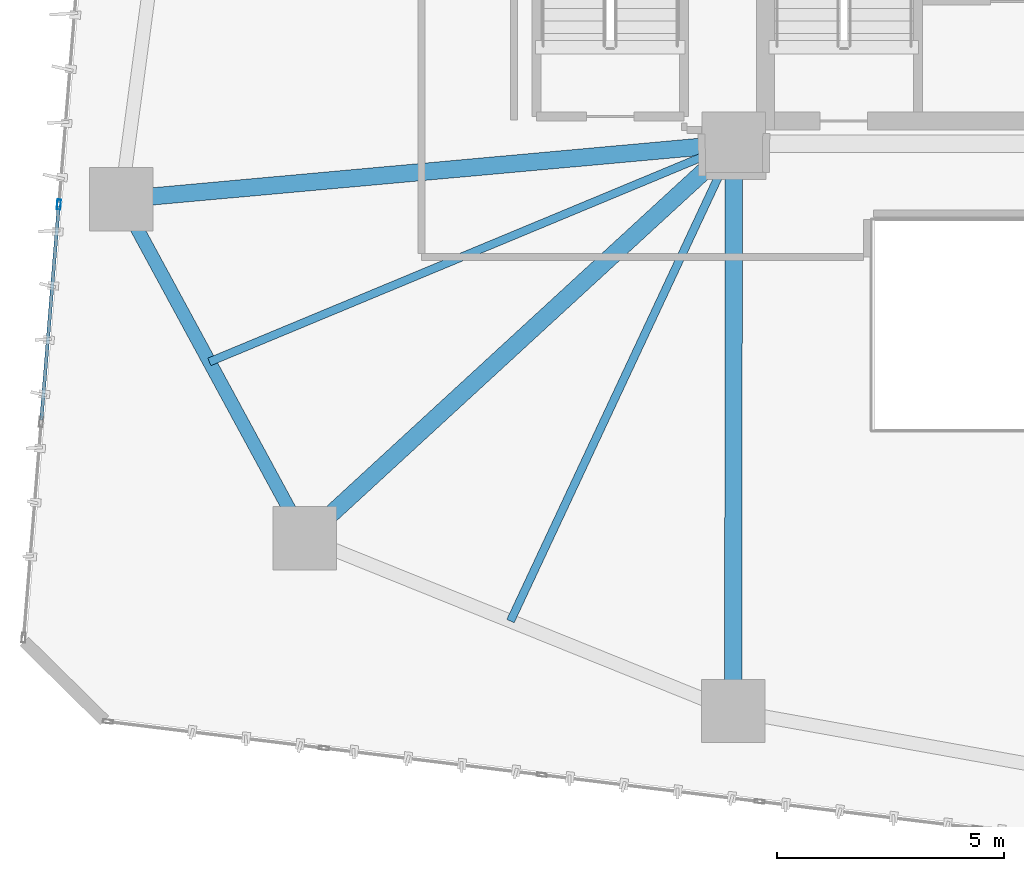
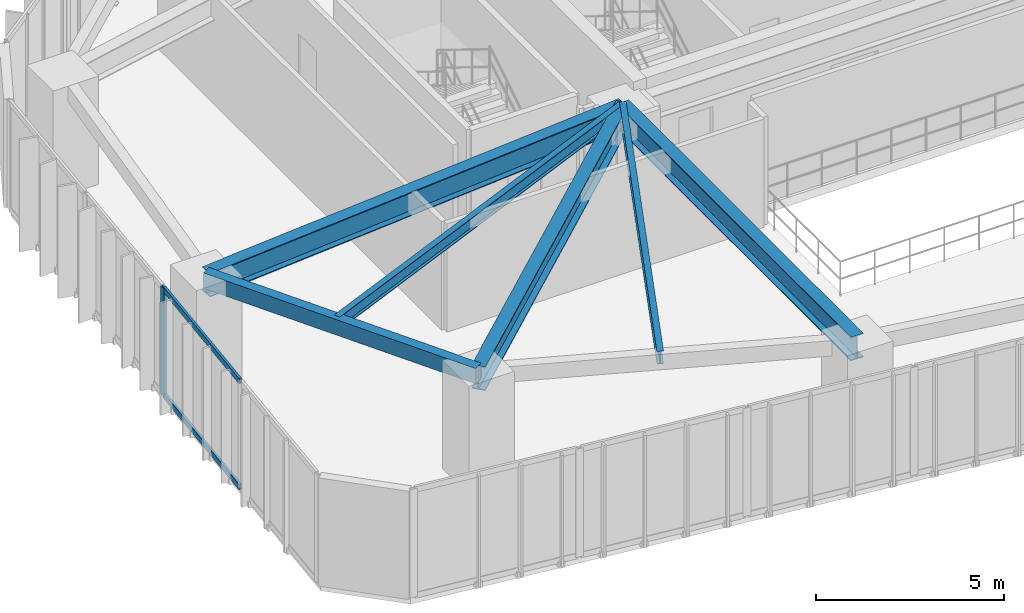
# One storey, part 3 of 23: 6 beams, 3 members, 1 element without a shape of its own.
"""IFC4 building model written with IfcOpenShell, lengths in metres."""

from ifc_helpers import new_model, si_unit, direction, frame, origin, origin_2d, place, context, subcontext, project, spatial, hollow_rectangle, i_section, extrude, source, transform, mapped, material, layer, layer_set, material_profile, profile_set, type_object, type_shapes, element, aggregate, save


model = new_model("IFC4")

# Units and contexts
model_context = context("Model", 3, precision=1e-05, world=origin(), true_north=direction((0.0, 1.0)))
body_context = subcontext(model_context, "Body", "Model", "MODEL_VIEW")
ifc_project = project(units=[si_unit("LENGTHUNIT", "METRE"), si_unit("AREAUNIT", "SQUARE_METRE"), si_unit("VOLUMEUNIT", "CUBIC_METRE"), si_unit("PLANEANGLEUNIT", "RADIAN"), si_unit("MASSUNIT", "GRAM", prefix="KILO")], contexts=[model_context])

# Site, building, storey
site_placement = place(None, origin())
site = spatial("IfcSite", under=ifc_project, at=site_placement, CompositionType="ELEMENT")
building_placement = place(site_placement, origin())
building = spatial("IfcBuilding", under=site, at=building_placement, Name="Talar Marvaseh", CompositionType="ELEMENT")
storey_placement = place(building_placement, frame((0.0, 0.0, 69.60009765625)))
storey = spatial("IfcBuildingStorey", under=building, at=storey_placement, Name="L17", CompositionType="ELEMENT", Elevation=69.60009765625)

# Beams
ifc_material_1 = material(Name="Steel S355", Category="steel")
ifc_material_profile_1 = material_profile(ifc_material_1, hollow_rectangle(XDim=0.300048828125, YDim=0.5, WallThickness=0.02001953125, at=origin_2d()), Name="RHS500x300x20")
ifc_profile_set_1 = profile_set([ifc_material_profile_1], Name="Steel S355")
beam_type_1 = type_object("IfcBeamType", Name="Zone 1 Perimeter Spandrel Beam RHS500x300x20", PredefinedType="SPANDREL", material=ifc_profile_set_1)
beam_1_placement = place(storey_placement, frame((9.23193359375, 16.7958984375, 3.27001953125), z_axis=(-0.476758155578, 0.879034505062, 0.0), x_axis=(-0.879034505062, -0.476758155578, 0.0)))
element("IfcBeam", 1, at=beam_1_placement, inside=storey, type_object=beam_type_1, Name="L17 Zone 1 Perimeter Spandrel Beam RHS500x300x20", PredefinedType="SPANDREL", context=body_context, shape_type="SweptSolid", body=[
    extrude(hollow_rectangle(XDim=0.300048828125, YDim=0.5, WallThickness=0.02001953125, at=origin_2d()), origin(), (0.0, 0.0, 1.0), 8.50927734375),
])
ifc_material_profile_2 = material_profile(ifc_material_1, i_section(OverallWidth=0.381103515625, OverallDepth=0.77294921875, WebThickness=0.0166015625, FlangeThickness=0.027099609375, at=origin_2d()), Name="W760x257")
ifc_profile_set_2 = profile_set([ifc_material_profile_2], Name="Steel S355")
beam_type_2 = type_object("IfcBeamType", Name="Zone 1 Radial Floor Girder W760x257", PredefinedType="BEAM", material=ifc_profile_set_2)
beam_2_placement = place(storey_placement, frame((18.68310546875, 12.97900390625, 3.13330078125), z_axis=(0.001345395187, 0.999999094955, 0.0), x_axis=(-0.999999094955, 0.001345395187, 0.0)))
element("IfcBeam", 2, at=beam_2_placement, inside=storey, type_object=beam_type_2, Name="L17 Zone 1 Radial Floor Girder W760x257", PredefinedType="BEAM", context=body_context, shape_type="SweptSolid", body=[
    extrude(i_section(OverallWidth=0.381103515625, OverallDepth=0.77294921875, WebThickness=0.0166015625, FlangeThickness=0.027099609375, at=origin_2d()), origin(), (0.0, 0.0, 1.0), 12.52099609375),
])
beam_3_placement = place(storey_placement, frame((9.23193359375, 16.7958984375, 3.13330078125), z_axis=(0.736181804049, 0.676783829142, 0.0), x_axis=(-0.676783829142, 0.736181804049, 0.0)))
element("IfcBeam", 3, at=beam_3_placement, inside=storey, type_object=beam_type_2, Name="L17 Zone 1 Radial Floor Girder W760x257", PredefinedType="BEAM", context=body_context, shape_type="SweptSolid", body=[
    extrude(i_section(OverallWidth=0.381103515625, OverallDepth=0.77294921875, WebThickness=0.0166015625, FlangeThickness=0.027099609375, at=origin_2d()), origin(), (0.0, 0.0, 1.0), 12.861083984375),
])
beam_4_placement = place(storey_placement, frame((5.175048828125, 24.27587890625, 3.13330078125), z_axis=(0.995929083348, 0.090140229321, 0.0), x_axis=(-0.090140229321, 0.995929083348, 0.0)))
element("IfcBeam", 4, at=beam_4_placement, inside=storey, type_object=beam_type_2, Name="L17 Zone 1 Radial Floor Girder W760x257", PredefinedType="BEAM", context=body_context, shape_type="SweptSolid", body=[
    extrude(i_section(OverallWidth=0.381103515625, OverallDepth=0.77294921875, WebThickness=0.0166015625, FlangeThickness=0.027099609375, at=origin_2d()), origin(), (0.0, 0.0, 1.0), 13.580078125),
])
ifc_material_profile_3 = material_profile(ifc_material_1, i_section(OverallWidth=0.179931640625, OverallDepth=0.4130859375, WebThickness=0.009765625, FlangeThickness=0.01611328125, at=origin_2d()), Name="W410x75")
ifc_profile_set_3 = profile_set([ifc_material_profile_3], Name="Steel S355")
beam_type_3 = type_object("IfcBeamType", Name="Zone 1 Secondary Floor Joist W410x75", PredefinedType="JOIST", material=ifc_profile_set_3)
beam_5_placement = place(storey_placement, frame((13.7685546875, 14.9638671875, 3.3134765625), z_axis=(0.423911170159, 0.905703770454, 0.0), x_axis=(-0.905703770454, 0.423911170159, 0.0)))
element("IfcBeam", 5, at=beam_5_placement, inside=storey, type_object=beam_type_3, Name="L17 Zone 1 Secondary Floor Joist W410x75", PredefinedType="JOIST", context=body_context, shape_type="SweptSolid", body=[
    extrude(i_section(OverallWidth=0.179931640625, OverallDepth=0.4130859375, WebThickness=0.009765625, FlangeThickness=0.01611328125, at=origin_2d()), origin(), (0.0, 0.0, 1.0), 11.633056640625),
])
beam_6_placement = place(storey_placement, frame((7.122314453125, 20.685546875, 3.3134765625), z_axis=(0.923347443105, 0.383965492346, 0.0), x_axis=(-0.383965492346, 0.923347443105, 0.0)))
element("IfcBeam", 6, at=beam_6_placement, inside=storey, type_object=beam_type_3, Name="L17 Zone 1 Secondary Floor Joist W410x75", PredefinedType="JOIST", context=body_context, shape_type="SweptSolid", body=[
    extrude(i_section(OverallWidth=0.179931640625, OverallDepth=0.4130859375, WebThickness=0.009765625, FlangeThickness=0.01611328125, at=origin_2d()), origin(), (0.0, 0.0, 1.0), 12.538818359375),
])

# Curtain wall, members
ifc_material_2 = material(Name="Architectural Aluminium", Category="aluminium")
ifc_layer = layer(ifc_material_2, 0.219970703125)
ifc_layer_set = layer_set([ifc_layer], Name="Architectural Aluminium")
curtain_wall_type = type_object("IfcCurtainWallType", Name="Unitised Low-E Museum Curtain Wall Z1", PredefinedType="NOTDEFINED", material=ifc_layer_set)
curtain_wall_placement = place(storey_placement, origin())
curtain_wall = element("IfcCurtainWall", 7, at=curtain_wall_placement, inside=storey, type_object=curtain_wall_type, Name="L17 Unitised Low-E Museum Curtain Wall Z1", PredefinedType="NOTDEFINED")
ifc_material_profile_4 = material_profile(ifc_material_2, hollow_rectangle(XDim=0.080078125, YDim=0.219970703125, WallThickness=0.0048828125, at=origin_2d()), Name="RHS220x80x5")
ifc_profile_set_4 = profile_set([ifc_material_profile_4], Name="Architectural Aluminium")
member_type_1 = type_object("IfcMemberType", Name="Unitised Curtain Wall Heavy Mullion RHS220x80x5", PredefinedType="MULLION", material=ifc_profile_set_4)
shared_shape_1 = source(origin(), body_context, "Body", "SweptSolid", [
    extrude(hollow_rectangle(XDim=0.080078125, YDim=0.219970703125, WallThickness=0.0048828125, at=origin_2d()), origin(), (0.0, 0.0, 1.0), 3.52001953125),
])
type_shapes(member_type_1, [shared_shape_1])
member_1_placement = place(storey_placement, frame((3.80126953125, 24.160888671875, 0.0), z_axis=(0.0, 0.0, 1.0), x_axis=(-0.996703041053, 0.081135984349, 0.0)))
member_1 = element("IfcMember", 8, at=member_1_placement, type_object=member_type_1, Name="CW-Z1 mullion 3", PredefinedType="MULLION", context=body_context, shape_type="MappedRepresentation", body=[
    mapped(shared_shape_1, transform((0.0, 0.0, 0.0), x_axis=(1.0, 0.0, 0.0), y_axis=(0.0, 1.0, 0.0), z_axis=(0.0, 0.0, 1.0), scale=1.0)),
])
ifc_material_profile_5 = material_profile(ifc_material_2, hollow_rectangle(XDim=0.074951171875, YDim=0.179931640625, WallThickness=0.0048828125, at=origin_2d()), Name="RHS180x75x5")
ifc_profile_set_5 = profile_set([ifc_material_profile_5], Name="Architectural Aluminium")
member_type_2 = type_object("IfcMemberType", Name="Unitised Curtain Wall Transom RHS180x75x5", PredefinedType="USERDEFINED", material=ifc_profile_set_5)
shared_shape_2 = source(origin(), body_context, "Body", "SweptSolid", [
    extrude(hollow_rectangle(XDim=0.074951171875, YDim=0.179931640625, WallThickness=0.0048828125, at=origin_2d()), origin(), (0.0, 0.0, 1.0), 4.736572265625),
])
type_shapes(member_type_2, [shared_shape_2])
member_2_placement = place(storey_placement, frame((3.413818359375, 19.400146484375, 0.037353515625), z_axis=(0.081130027915, 0.996703525915, 0.0), x_axis=(-0.996703525915, 0.081130027915, 0.0)))
member_2 = element("IfcMember", 9, at=member_2_placement, type_object=member_type_2, Name="CW-Z1 transom 2.1", ObjectType="TRANSOM", PredefinedType="USERDEFINED", context=body_context, shape_type="MappedRepresentation", body=[
    mapped(shared_shape_2, transform((0.0, 0.0, 0.0), x_axis=(1.0, 0.0, 0.0), y_axis=(0.0, 1.0, 0.0), z_axis=(0.0, 0.0, 1.0), scale=1.0)),
])
member_3_placement = place(storey_placement, frame((3.413818359375, 19.400146484375, 3.482421875), z_axis=(0.081130027915, 0.996703525915, 0.0), x_axis=(-0.996703525915, 0.081130027915, 0.0)))
member_3 = element("IfcMember", 10, at=member_3_placement, type_object=member_type_2, Name="CW-Z1 transom 2.2", ObjectType="TRANSOM", PredefinedType="USERDEFINED", context=body_context, shape_type="MappedRepresentation", body=[
    mapped(shared_shape_2, transform((0.0, 0.0, 0.0), x_axis=(1.0, 0.0, 0.0), y_axis=(0.0, 1.0, 0.0), z_axis=(0.0, 0.0, 1.0), scale=1.0)),
])
aggregate(curtain_wall, [member_1, member_2, member_3])

save(model, "model.ifc")
